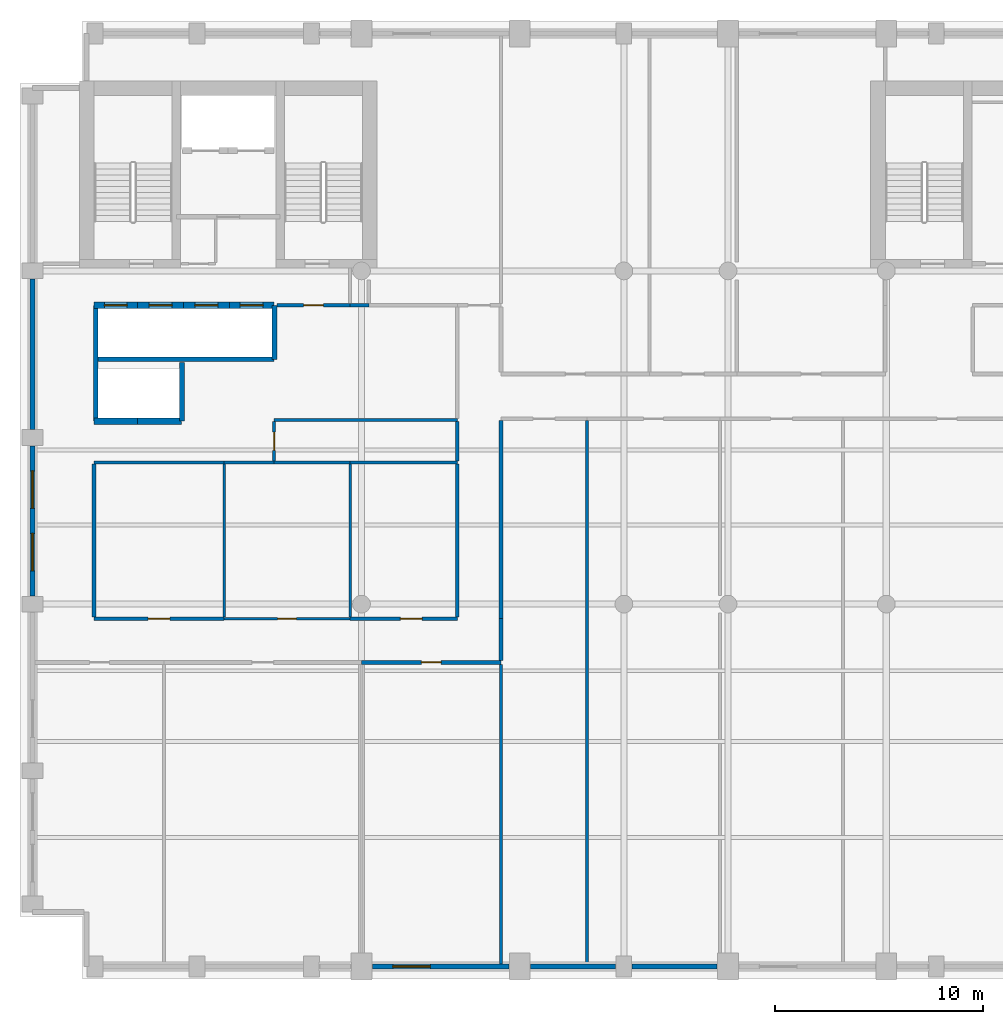
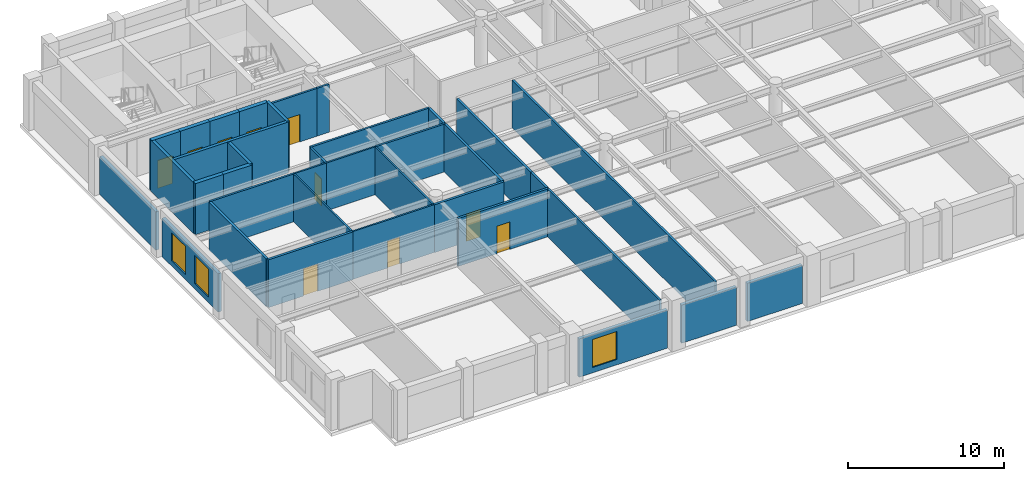
# One storey, part 3 of 8: 36 walls, 10 doors, 3 windows, 13 openings.
"""IFC4 building model written with IfcOpenShell, lengths in metres."""

from ifc_helpers import new_model, si_unit, direction, frame, frame_2d, origin, place, context, subcontext, project, spatial, rectangle, extrude, material, layer, layer_set, type_object, element, fill, save


model = new_model("IFC4")

# Units and contexts
model_context = context("Model", 3, precision=1e-05, world=origin(), true_north=direction((0.0, 1.0)))
body_context = subcontext(model_context, "Body", "Model", "MODEL_VIEW")
ifc_project = project(units=[si_unit("LENGTHUNIT", "METRE"), si_unit("AREAUNIT", "SQUARE_METRE"), si_unit("VOLUMEUNIT", "CUBIC_METRE"), si_unit("PLANEANGLEUNIT", "RADIAN"), si_unit("MASSUNIT", "GRAM", prefix="KILO")], contexts=[model_context])

# Site, building, storey
site_placement = place(None, origin())
site = spatial("IfcSite", under=ifc_project, at=site_placement, CompositionType="ELEMENT")
building_placement = place(site_placement, origin())
building = spatial("IfcBuilding", under=site, at=building_placement, Name="Sulina Concourse Tower", CompositionType="ELEMENT")
storey_placement = place(building_placement, frame((0.0, 0.0, 264.60009765625)))
storey = spatial("IfcBuildingStorey", under=building, at=storey_placement, Name="L64", CompositionType="ELEMENT", Elevation=264.60009765625)

# Walls
ifc_material_1 = material(Name="Concrete C50/60", Category="concrete")
ifc_layer_1 = layer(ifc_material_1, 0.219970703125)
ifc_layer_set_1 = layer_set([ifc_layer_1], Name="Concrete C50/60")
wall_type_1 = type_object("IfcWallType", Name="Core Lift Hoistway Divider Wall 220mm", PredefinedType="SOLIDWALL", material=ifc_layer_set_1)
wall_1_placement = place(storey_placement, frame((3.550048828125, 29.75, 0.0), z_axis=(0.0, 0.0, 1.0), x_axis=(1.0, 0.0, 0.0)))
element("IfcWall", 1, at=wall_1_placement, inside=storey, type_object=wall_type_1, Name="L64 shaft divider wall HW-LP3-S", PredefinedType="SOLIDWALL", context=body_context, shape_type="SweptSolid", body=[
    extrude(rectangle(XDim=8.64990234375, YDim=0.219970703125, at=frame_2d((4.324951171875, 0.0))), origin(), (0.0, 0.0, 1.0), 4.0),
])
wall_2_placement = place(storey_placement, frame((3.6298828125, 26.800048828125, 0.0), z_axis=(0.0, 0.0, 1.0), x_axis=(0.0, 1.0, 0.0)))
element("IfcWall", 2, at=wall_2_placement, inside=storey, type_object=wall_type_1, Name="L64 shaft divider wall HW-LP3-W", PredefinedType="SOLIDWALL", context=body_context, shape_type="SweptSolid", body=[
    extrude(rectangle(XDim=5.550048828125, YDim=0.219970703125, at=frame_2d((2.77490234375, 0.0))), origin(), (0.0, 0.0, 1.0), 4.0),
])
wall_3_placement = place(storey_placement, frame((7.780029296875, 26.800048828125, 0.0), z_axis=(0.0, 0.0, 1.0), x_axis=(0.0, 1.0, 0.0)))
element("IfcWall", 3, at=wall_3_placement, inside=storey, type_object=wall_type_1, Name="L64 shaft divider wall HW-EXP-E", PredefinedType="SOLIDWALL", context=body_context, shape_type="SweptSolid", body=[
    extrude(rectangle(XDim=2.800048828125, YDim=0.219970703125, at=frame_2d((1.39990234375, 0.0))), origin(), (0.0, 0.0, 1.0), 4.0),
])
wall_4_placement = place(storey_placement, frame((12.219970703125, 29.75, 0.0), z_axis=(0.0, 0.0, 1.0), x_axis=(0.0, 1.0, 0.0)))
element("IfcWall", 4, at=wall_4_placement, inside=storey, type_object=wall_type_1, Name="L64 shaft divider wall HW-LP3-E", PredefinedType="SOLIDWALL", context=body_context, shape_type="SweptSolid", body=[
    extrude(rectangle(XDim=2.60009765625, YDim=0.219970703125, at=frame_2d((1.300048828125, 0.0))), origin(), (0.0, 0.0, 1.0), 4.0),
])

# Wall, opening, door
ifc_material_2 = material(Name="Concrete C50/60", Category="concrete")
ifc_layer_2 = layer(ifc_material_2, 0.300048828125)
ifc_layer_set_2 = layer_set([ifc_layer_2], Name="Concrete C50/60")
wall_type_2 = type_object("IfcWallType", Name="Core Lift Hoistway Wall 300mm", PredefinedType="SOLIDWALL", material=ifc_layer_set_2)
wall_5_placement = place(storey_placement, frame((3.550048828125, 32.35009765625, 0.0), z_axis=(0.0, 0.0, 1.0), x_axis=(1.0, 0.0, 0.0)))
wall_5 = element("IfcWall", 5, at=wall_5_placement, inside=storey, type_object=wall_type_2, Name="L64 hoistway enclosure wall LP-09", PredefinedType="SOLIDWALL", context=body_context, shape_type="SweptSolid", body=[
    extrude(rectangle(XDim=2.099853515625, YDim=0.300048828125, at=frame_2d((1.0498046875, 0.0))), origin(), (0.0, 0.0, 1.0), 4.0),
])
opening_1_placement = place(wall_5_placement, frame((0.5, 0.0, 0.0)))
opening_1 = element("IfcOpeningElement", 6, at=opening_1_placement, cuts=wall_5, Name="Opening LD-01", PredefinedType="OPENING", context=body_context, shape_type="SweptSolid", body=[
    extrude(rectangle(XDim=1.10009765625, YDim=2.199951171875, at=frame_2d((0.550048828125, 1.10009765625))), frame((0.0, 0.159912109375, 0.0), z_axis=(0.0, -1.0, 0.0), x_axis=(1.0, 0.0, 0.0)), (0.0, 0.0, 1.0), 0.320068359375),
])
ifc_material_3 = material(Name="Stainless steel lift landing door", Category="steel")
ifc_layer_3 = layer(ifc_material_3, 0.050048828125)
ifc_layer_set_3 = layer_set([ifc_layer_3], Name="Stainless steel lift landing door")
door_type_1 = type_object("IfcDoorType", Name="Passenger Lift Sliding Landing Door 1100x2200", OperationType="SLIDING_TO_LEFT", PredefinedType="DOOR", material=ifc_layer_set_3)
door_1_placement = place(opening_1_placement, origin())
door_1 = element("IfcDoor", 7, at=door_1_placement, inside=storey, type_object=door_type_1, Name="L64 lift landing sliding door LP-09", OperationType="SLIDING_TO_LEFT", OverallHeight=2.199951171875, OverallWidth=1.10009765625, PredefinedType="DOOR", context=body_context, shape_type="SweptSolid", body=[
    extrude(rectangle(XDim=1.10009765625, YDim=2.199951171875, at=frame_2d((0.550048828125, 1.10009765625))), frame((0.0, 0.02490234375, 0.0), z_axis=(0.0, -1.0, 0.0), x_axis=(1.0, 0.0, 0.0)), (0.0, 0.0, 1.0), 0.050048828125),
])
fill(opening_1, door_1)

wall_6_placement = place(storey_placement, frame((5.64990234375, 32.35009765625, 0.0), z_axis=(0.0, 0.0, 1.0), x_axis=(1.0, 0.0, 0.0)))
wall_6 = element("IfcWall", 8, at=wall_6_placement, inside=storey, type_object=wall_type_2, Name="L64 hoistway enclosure wall LP-10", PredefinedType="SOLIDWALL", context=body_context, shape_type="SweptSolid", body=[
    extrude(rectangle(XDim=2.2001953125, YDim=0.300048828125, at=frame_2d((1.10009765625, 0.0))), origin(), (0.0, 0.0, 1.0), 4.0),
])
opening_2_placement = place(wall_6_placement, frame((0.550048828125, 0.0, 0.0)))
opening_2 = element("IfcOpeningElement", 9, at=opening_2_placement, cuts=wall_6, Name="Opening LD-01", PredefinedType="OPENING", context=body_context, shape_type="SweptSolid", body=[
    extrude(rectangle(XDim=1.10009765625, YDim=2.199951171875, at=frame_2d((0.550048828125, 1.10009765625))), frame((0.0, 0.159912109375, 0.0), z_axis=(0.0, -1.0, 0.0), x_axis=(1.0, 0.0, 0.0)), (0.0, 0.0, 1.0), 0.320068359375),
])
door_2_placement = place(opening_2_placement, origin())
door_2 = element("IfcDoor", 10, at=door_2_placement, inside=storey, type_object=door_type_1, Name="L64 lift landing sliding door LP-10", OperationType="SLIDING_TO_RIGHT", OverallHeight=2.199951171875, OverallWidth=1.10009765625, PredefinedType="DOOR", context=body_context, shape_type="SweptSolid", body=[
    extrude(rectangle(XDim=1.10009765625, YDim=2.199951171875, at=frame_2d((0.550048828125, 1.10009765625))), frame((0.0, 0.02490234375, 0.0), z_axis=(0.0, -1.0, 0.0), x_axis=(1.0, 0.0, 0.0)), (0.0, 0.0, 1.0), 0.050048828125),
])
fill(opening_2, door_2)

wall_7_placement = place(storey_placement, frame((7.85009765625, 32.35009765625, 0.0), z_axis=(0.0, 0.0, 1.0), x_axis=(1.0, 0.0, 0.0)))
wall_7 = element("IfcWall", 11, at=wall_7_placement, inside=storey, type_object=wall_type_2, Name="L64 hoistway enclosure wall LP-11", PredefinedType="SOLIDWALL", context=body_context, shape_type="SweptSolid", body=[
    extrude(rectangle(XDim=2.199951171875, YDim=0.300048828125, at=frame_2d((1.10009765625, 0.0))), origin(), (0.0, 0.0, 1.0), 4.0),
])
opening_3_placement = place(wall_7_placement, frame((0.550048828125, 0.0, 0.0)))
opening_3 = element("IfcOpeningElement", 12, at=opening_3_placement, cuts=wall_7, Name="Opening LD-01", PredefinedType="OPENING", context=body_context, shape_type="SweptSolid", body=[
    extrude(rectangle(XDim=1.10009765625, YDim=2.199951171875, at=frame_2d((0.550048828125, 1.10009765625))), frame((0.0, 0.159912109375, 0.0), z_axis=(0.0, -1.0, 0.0), x_axis=(1.0, 0.0, 0.0)), (0.0, 0.0, 1.0), 0.320068359375),
])
door_3_placement = place(opening_3_placement, origin())
door_3 = element("IfcDoor", 13, at=door_3_placement, inside=storey, type_object=door_type_1, Name="L64 lift landing sliding door LP-11", OperationType="SLIDING_TO_LEFT", OverallHeight=2.199951171875, OverallWidth=1.10009765625, PredefinedType="DOOR", context=body_context, shape_type="SweptSolid", body=[
    extrude(rectangle(XDim=1.10009765625, YDim=2.199951171875, at=frame_2d((0.550048828125, 1.10009765625))), frame((0.0, 0.02490234375, 0.0), z_axis=(0.0, -1.0, 0.0), x_axis=(1.0, 0.0, 0.0)), (0.0, 0.0, 1.0), 0.050048828125),
])
fill(opening_3, door_3)

wall_8_placement = place(storey_placement, frame((10.050048828125, 32.35009765625, 0.0), z_axis=(0.0, 0.0, 1.0), x_axis=(1.0, 0.0, 0.0)))
wall_8 = element("IfcWall", 14, at=wall_8_placement, inside=storey, type_object=wall_type_2, Name="L64 hoistway enclosure wall LP-12", PredefinedType="SOLIDWALL", context=body_context, shape_type="SweptSolid", body=[
    extrude(rectangle(XDim=2.14990234375, YDim=0.300048828125, at=frame_2d((1.074951171875, 0.0))), origin(), (0.0, 0.0, 1.0), 4.0),
])
opening_4_placement = place(wall_8_placement, frame((0.52490234375, 0.0, 0.0)))
opening_4 = element("IfcOpeningElement", 15, at=opening_4_placement, cuts=wall_8, Name="Opening LD-01", PredefinedType="OPENING", context=body_context, shape_type="SweptSolid", body=[
    extrude(rectangle(XDim=1.10009765625, YDim=2.199951171875, at=frame_2d((0.550048828125, 1.10009765625))), frame((0.0, 0.159912109375, 0.0), z_axis=(0.0, -1.0, 0.0), x_axis=(1.0, 0.0, 0.0)), (0.0, 0.0, 1.0), 0.320068359375),
])
door_4_placement = place(opening_4_placement, origin())
door_4 = element("IfcDoor", 16, at=door_4_placement, inside=storey, type_object=door_type_1, Name="L64 lift landing sliding door LP-12", OperationType="SLIDING_TO_RIGHT", OverallHeight=2.199951171875, OverallWidth=1.10009765625, PredefinedType="DOOR", context=body_context, shape_type="SweptSolid", body=[
    extrude(rectangle(XDim=1.10009765625, YDim=2.199951171875, at=frame_2d((0.550048828125, 1.10009765625))), frame((0.0, 0.02490234375, 0.0), z_axis=(0.0, -1.0, 0.0), x_axis=(1.0, 0.0, 0.0)), (0.0, 0.0, 1.0), 0.050048828125),
])
fill(opening_4, door_4)

# Walls
wall_9_placement = place(storey_placement, frame((5.64990234375, 26.780029296875, 0.0), z_axis=(0.0, 0.0, 1.0), x_axis=(-1.0, 0.0, 0.0)))
element("IfcWall", 17, at=wall_9_placement, inside=storey, type_object=wall_type_2, Name="L64 hoistway enclosure wall EXP-1", PredefinedType="SOLIDWALL", context=body_context, shape_type="SweptSolid", body=[
    extrude(rectangle(XDim=2.099853515625, YDim=0.300048828125, at=frame_2d((1.0498046875, 0.0))), origin(), (0.0, 0.0, 1.0), 4.0),
])
wall_10_placement = place(storey_placement, frame((7.75, 26.780029296875, 0.0), z_axis=(0.0, 0.0, 1.0), x_axis=(-1.0, 0.0, 0.0)))
element("IfcWall", 18, at=wall_10_placement, inside=storey, type_object=wall_type_2, Name="L64 hoistway enclosure wall EXP-2", PredefinedType="SOLIDWALL", context=body_context, shape_type="SweptSolid", body=[
    extrude(rectangle(XDim=2.10009765625, YDim=0.300048828125, at=frame_2d((1.050048828125, 0.0))), origin(), (0.0, 0.0, 1.0), 4.0),
])

# Wall, opening, window
ifc_material_4 = material(Name="Precast concrete C50/60", Category="concrete")
ifc_layer_4 = layer(ifc_material_4, 0.239990234375)
ifc_layer_set_4 = layer_set([ifc_layer_4], Name="Precast concrete C50/60")
wall_type_3 = type_object("IfcWallType", Name="Crown Precast Masonry-Frame Facade Wall 240mm", PredefinedType="SOLIDWALL", material=ifc_layer_set_4)
wall_11_placement = place(storey_placement, frame((23.47998046875, 0.60009765625, 0.0), z_axis=(0.0, 0.0, 1.0), x_axis=(-1.0, 0.0, 0.0)))
wall_11 = element("IfcWall", 19, at=wall_11_placement, inside=storey, type_object=wall_type_3, Name="L64 exterior precast wall S4", PredefinedType="SOLIDWALL", context=body_context, shape_type="SweptSolid", body=[
    extrude(rectangle(XDim=6.56005859375, YDim=0.239990234375, at=frame_2d((3.280029296875, 0.0))), origin(), (0.0, 0.0, 1.0), 3.0),
])
opening_5_placement = place(wall_11_placement, frame((3.773193359375, 0.0, 0.419921875)))
opening_5 = element("IfcOpeningElement", 20, at=opening_5_placement, cuts=wall_11, Name="Opening WN-25", PredefinedType="OPENING", context=body_context, shape_type="SweptSolid", body=[
    extrude(rectangle(XDim=1.800048828125, YDim=2.199951171875, at=frame_2d((0.89990234375, 1.10009765625))), frame((0.0, 0.1298828125, 0.0), z_axis=(0.0, -1.0, 0.0), x_axis=(1.0, 0.0, 0.0)), (0.0, 0.0, 1.0), 0.260009765625),
])
ifc_material_5 = material(Name="Low-E solar double glazing in bronze aluminium", Category="aluminium")
window_type = type_object("IfcWindowType", Name="Punched Masonry-Frame Window 1800x2200", PartitioningType="SINGLE_PANEL", PredefinedType="WINDOW", material=ifc_material_5)
window_1_placement = place(opening_5_placement, origin())
window_1 = element("IfcWindow", 21, at=window_1_placement, inside=storey, type_object=window_type, Name="L64 punched window S4-1", OverallHeight=2.199951171875, OverallWidth=1.800048828125, PartitioningType="SINGLE_PANEL", PredefinedType="WINDOW", context=body_context, shape_type="SweptSolid", body=[
    extrude(rectangle(XDim=1.800048828125, YDim=2.199951171875, at=frame_2d((0.89990234375, 1.10009765625))), frame((0.0, 0.030029296875, 0.0), z_axis=(0.0, -1.0, 0.0), x_axis=(1.0, 0.0, 0.0)), (0.0, 0.0, 1.0), 0.06005859375),
])
fill(opening_5, window_1)

# Walls
for number, where, z_axis, x_axis, name in (
    (22, (28.60498046875, 0.60009765625, 0.0), (0.0, 0.0, 1.0), (-1.0, 0.0, 0.0), "L64 exterior precast wall S5"),
    (23, (33.47998046875, 0.60009765625, 0.0), (0.0, 0.0, 1.0), (-1.0, 0.0, 0.0), "L64 exterior precast wall S6"),
):
    element("IfcWall", number, at=place(storey_placement, frame(where, z_axis=z_axis, x_axis=x_axis)), inside=storey, type_object=wall_type_3, Name=name, PredefinedType="SOLIDWALL", context=body_context, shape_type="SweptSolid", body=[
        extrude(rectangle(XDim=4.0849609375, YDim=0.239990234375, at=frame_2d((2.04248046875, 0.0))), origin(), (0.0, 0.0, 1.0), 3.0),
    ])

# Wall, openings, windows
wall_12_placement = place(storey_placement, frame((0.60009765625, 18.39501953125, 0.0), z_axis=(0.0, 0.0, 1.0), x_axis=(0.0, 1.0, 0.0)))
wall_12 = element("IfcWall", 24, at=wall_12_placement, inside=storey, type_object=wall_type_3, Name="L64 exterior precast wall W3", PredefinedType="SOLIDWALL", context=body_context, shape_type="SweptSolid", body=[
    extrude(rectangle(XDim=7.2099609375, YDim=0.239990234375, at=frame_2d((3.60498046875, 0.0))), origin(), (0.0, 0.0, 1.0), 3.0),
])
opening_6_placement = place(wall_12_placement, frame((1.203369140625, 0.0, 0.419921875)))
opening_6 = element("IfcOpeningElement", 25, at=opening_6_placement, cuts=wall_12, Name="Opening WN-25", PredefinedType="OPENING", context=body_context, shape_type="SweptSolid", body=[
    extrude(rectangle(XDim=1.800048828125, YDim=2.199951171875, at=frame_2d((0.89990234375, 1.10009765625))), frame((0.0, 0.1298828125, 0.0), z_axis=(0.0, -1.0, 0.0), x_axis=(1.0, 0.0, 0.0)), (0.0, 0.0, 1.0), 0.260009765625),
])
opening_7_placement = place(wall_12_placement, frame((4.206787109375, 0.0, 0.419921875)))
opening_7 = element("IfcOpeningElement", 26, at=opening_7_placement, cuts=wall_12, Name="Opening WN-25", PredefinedType="OPENING", context=body_context, shape_type="SweptSolid", body=[
    extrude(rectangle(XDim=1.800048828125, YDim=2.199951171875, at=frame_2d((0.89990234375, 1.10009765625))), frame((0.0, 0.1298828125, 0.0), z_axis=(0.0, -1.0, 0.0), x_axis=(1.0, 0.0, 0.0)), (0.0, 0.0, 1.0), 0.260009765625),
])
window_2_placement = place(opening_6_placement, origin())
window_2 = element("IfcWindow", 27, at=window_2_placement, inside=storey, type_object=window_type, Name="L64 punched window W3-1", OverallHeight=2.199951171875, OverallWidth=1.800048828125, PartitioningType="SINGLE_PANEL", PredefinedType="WINDOW", context=body_context, shape_type="SweptSolid", body=[
    extrude(rectangle(XDim=1.800048828125, YDim=2.199951171875, at=frame_2d((0.89990234375, 1.10009765625))), frame((0.0, 0.030029296875, 0.0), z_axis=(0.0, -1.0, 0.0), x_axis=(1.0, 0.0, 0.0)), (0.0, 0.0, 1.0), 0.06005859375),
])
fill(opening_6, window_2)
window_3_placement = place(opening_7_placement, origin())
window_3 = element("IfcWindow", 28, at=window_3_placement, inside=storey, type_object=window_type, Name="L64 punched window W3-2", OverallHeight=2.199951171875, OverallWidth=1.800048828125, PartitioningType="SINGLE_PANEL", PredefinedType="WINDOW", context=body_context, shape_type="SweptSolid", body=[
    extrude(rectangle(XDim=1.800048828125, YDim=2.199951171875, at=frame_2d((0.89990234375, 1.10009765625))), frame((0.0, 0.030029296875, 0.0), z_axis=(0.0, -1.0, 0.0), x_axis=(1.0, 0.0, 0.0)), (0.0, 0.0, 1.0), 0.06005859375),
])
fill(opening_7, window_3)

# Walls
wall_13_placement = place(storey_placement, frame((0.60009765625, 26.39501953125, 0.0), z_axis=(0.0, 0.0, 1.0), x_axis=(0.0, 1.0, 0.0)))
element("IfcWall", 29, at=wall_13_placement, inside=storey, type_object=wall_type_3, Name="L64 exterior precast wall W4", PredefinedType="SOLIDWALL", context=body_context, shape_type="SweptSolid", body=[
    extrude(rectangle(XDim=7.2099609375, YDim=0.239990234375, at=frame_2d((3.60498046875, 0.0))), origin(), (0.0, 0.0, 1.0), 3.0),
])
ifc_material_6 = material(Name="Gypsum board on steel stud", Category="steel")
ifc_layer_5 = layer(ifc_material_6, 0.14990234375)
ifc_layer_set_5 = layer_set([ifc_layer_5], Name="Gypsum board on steel stud")
wall_type_4 = type_object("IfcWallType", Name="Inter-Tenancy Acoustic Partition 150mm", PredefinedType="PARTITIONING", material=ifc_layer_set_5)
wall_14_placement = place(storey_placement, frame((3.550048828125, 24.800048828125, 0.0), z_axis=(0.0, 0.0, 1.0), x_axis=(1.0, 0.0, 0.0)))
element("IfcWall", 30, at=wall_14_placement, inside=storey, type_object=wall_type_4, Name="L64 interior partition 007", PredefinedType="PARTITIONING", context=body_context, shape_type="SweptSolid", body=[
    extrude(rectangle(XDim=6.25, YDim=0.14990234375, at=frame_2d((3.125, 0.0))), origin(), (0.0, 0.0, 1.0), 3.75),
])
wall_15_placement = place(storey_placement, frame((15.85009765625, 24.800048828125, 0.0), z_axis=(0.0, 0.0, 1.0), x_axis=(1.0, 0.0, 0.0)))
element("IfcWall", 31, at=wall_15_placement, inside=storey, type_object=wall_type_4, Name="L64 interior partition 010", PredefinedType="PARTITIONING", context=body_context, shape_type="SweptSolid", body=[
    extrude(rectangle(XDim=5.14990234375, YDim=0.14990234375, at=frame_2d((2.574951171875, 0.0))), origin(), (0.0, 0.0, 1.0), 3.75),
])
wall_16_placement = place(storey_placement, frame((12.199951171875, 26.85009765625, 0.0), z_axis=(0.0, 0.0, 1.0), x_axis=(1.0, 0.0, 0.0)))
element("IfcWall", 32, at=wall_16_placement, inside=storey, type_object=wall_type_4, Name="L64 interior partition 011", PredefinedType="PARTITIONING", context=body_context, shape_type="SweptSolid", body=[
    extrude(rectangle(XDim=8.800048828125, YDim=0.14990234375, at=frame_2d((4.39990234375, 0.0))), origin(), (0.0, 0.0, 1.0), 3.75),
])

# Wall, opening, door
wall_17_placement = place(storey_placement, frame((12.330078125, 32.35009765625, 0.0), z_axis=(0.0, 0.0, 1.0), x_axis=(1.0, 0.0, 0.0)))
wall_17 = element("IfcWall", 33, at=wall_17_placement, inside=storey, type_object=wall_type_4, Name="L64 interior partition 021", PredefinedType="PARTITIONING", context=body_context, shape_type="SweptSolid", body=[
    extrude(rectangle(XDim=3.52001953125, YDim=0.14990234375, at=frame_2d((1.760009765625, 0.0))), origin(), (0.0, 0.0, 1.0), 3.75),
])
opening_8_placement = place(wall_17_placement, frame((1.284912109375, 0.0, 0.0)))
opening_8 = element("IfcOpeningElement", 34, at=opening_8_placement, cuts=wall_17, Name="Opening DR-19", PredefinedType="OPENING", context=body_context, shape_type="SweptSolid", body=[
    extrude(rectangle(XDim=0.949951171875, YDim=2.14990234375, at=frame_2d((0.47509765625, 1.074951171875))), frame((0.0, 0.0849609375, 0.0), z_axis=(0.0, -1.0, 0.0), x_axis=(1.0, 0.0, 0.0)), (0.0, 0.0, 1.0), 0.169921875),
])
ifc_material_7 = material(Name="Oak-veneered acoustic timber leaf", Category="wood")
ifc_layer_6 = layer(ifc_material_7, 0.050048828125)
ifc_layer_set_6 = layer_set([ifc_layer_6], Name="Oak-veneered acoustic timber leaf")
door_type_2 = type_object("IfcDoorType", Name="Cellular Office & Meeting Door 950x2150", OperationType="NOTDEFINED", PredefinedType="DOOR", material=ifc_layer_set_6)
door_5_placement = place(opening_8_placement, origin())
door_5 = element("IfcDoor", 35, at=door_5_placement, inside=storey, type_object=door_type_2, Name="L64 interior door L64-MR-MRG2", OperationType="SINGLE_SWING_LEFT", OverallHeight=2.14990234375, OverallWidth=0.949951171875, PredefinedType="DOOR", context=body_context, shape_type="SweptSolid", body=[
    extrude(rectangle(XDim=0.949951171875, YDim=2.14990234375, at=frame_2d((0.47509765625, 1.074951171875))), frame((0.0, 0.02490234375, 0.0), z_axis=(0.0, -1.0, 0.0), x_axis=(1.0, 0.0, 0.0)), (0.0, 0.0, 1.0), 0.050048828125),
])
fill(opening_8, door_5)

# Wall
wall_18_placement = place(storey_placement, frame((15.85009765625, 32.35009765625, 0.0), z_axis=(0.0, 0.0, 1.0), x_axis=(1.0, 0.0, 0.0)))
element("IfcWall", 36, at=wall_18_placement, inside=storey, type_object=wall_type_4, Name="L64 interior partition 022", PredefinedType="PARTITIONING", context=body_context, shape_type="SweptSolid", body=[
    extrude(rectangle(XDim=0.89990234375, YDim=0.14990234375, at=frame_2d((0.449951171875, 0.0))), origin(), (0.0, 0.0, 1.0), 3.75),
])

# Wall, opening, door
wall_19_placement = place(storey_placement, frame((12.199951171875, 24.862548828125, 0.0), z_axis=(0.0, 0.0, 1.0), x_axis=(0.0, 1.0, 0.0)))
wall_19 = element("IfcWall", 37, at=wall_19_placement, inside=storey, type_object=wall_type_4, Name="L64 interior partition 035", PredefinedType="PARTITIONING", context=body_context, shape_type="SweptSolid", body=[
    extrude(rectangle(XDim=1.912353515625, YDim=0.14990234375, at=frame_2d((0.9560546875, 0.0))), origin(), (0.0, 0.0, 1.0), 3.75),
])
opening_9_placement = place(wall_19_placement, frame((0.51611328125, 0.0, 0.0)))
opening_9 = element("IfcOpeningElement", 38, at=opening_9_placement, cuts=wall_19, Name="Opening DR-38", PredefinedType="OPENING", context=body_context, shape_type="SweptSolid", body=[
    extrude(rectangle(XDim=0.8798828125, YDim=2.10009765625, at=frame_2d((0.43994140625, 1.050048828125))), frame((0.0, 0.0849609375, 0.0), z_axis=(0.0, -1.0, 0.0), x_axis=(1.0, 0.0, 0.0)), (0.0, 0.0, 1.0), 0.169921875),
])
ifc_material_8 = material(Name="Galvanised steel acoustic fire leaf", Category="steel")
ifc_layer_7 = layer(ifc_material_8, 0.050048828125)
ifc_layer_set_7 = layer_set([ifc_layer_7], Name="Galvanised steel acoustic fire leaf")
door_type_3 = type_object("IfcDoorType", Name="Service Riser Fire Door 880x2100", OperationType="NOTDEFINED", PredefinedType="DOOR", material=ifc_layer_set_7)
door_6_placement = place(opening_9_placement, origin())
door_6 = element("IfcDoor", 39, at=door_6_placement, inside=storey, type_object=door_type_3, Name="L64 interior door L64-MR-MRG1", OperationType="SINGLE_SWING_RIGHT", OverallHeight=2.10009765625, OverallWidth=0.8798828125, PredefinedType="DOOR", context=body_context, shape_type="SweptSolid", body=[
    extrude(rectangle(XDim=0.8798828125, YDim=2.10009765625, at=frame_2d((0.43994140625, 1.050048828125))), frame((0.0, 0.02490234375, 0.0), z_axis=(0.0, -1.0, 0.0), x_axis=(1.0, 0.0, 0.0)), (0.0, 0.0, 1.0), 0.050048828125),
])
fill(opening_9, door_6)

# Walls
wall_20_placement = place(storey_placement, frame((23.10009765625, 0.719970703125, 0.0), z_axis=(0.0, 0.0, 1.0), x_axis=(0.0, 1.0, 0.0)))
element("IfcWall", 40, at=wall_20_placement, inside=storey, type_object=wall_type_4, Name="L64 interior partition 043", PredefinedType="PARTITIONING", context=body_context, shape_type="SweptSolid", body=[
    extrude(rectangle(XDim=14.39013671875, YDim=0.14990234375, at=frame_2d((7.195068359375, 0.0))), origin(), (0.0, 0.0, 1.0), 3.75),
])
wall_21_placement = place(storey_placement, frame((27.219970703125, 0.719970703125, 0.0), z_axis=(0.0, 0.0, 1.0), x_axis=(0.0, 1.0, 0.0)))
element("IfcWall", 41, at=wall_21_placement, inside=storey, type_object=wall_type_4, Name="L64 interior partition 048", PredefinedType="PARTITIONING", context=body_context, shape_type="SweptSolid", body=[
    extrude(rectangle(XDim=26.090087890625, YDim=0.14990234375, at=frame_2d((13.044921875, 0.0))), origin(), (0.0, 0.0, 1.0), 3.75),
])

# Wall, opening, door
ifc_material_9 = material(Name="Gypsum board on steel stud", Category="steel")
ifc_layer_8 = layer(ifc_material_9, 0.179931640625)
ifc_layer_set_8 = layer_set([ifc_layer_8], Name="Gypsum board on steel stud")
wall_type_5 = type_object("IfcWallType", Name="Protected Corridor & Riser Partition 180mm", PredefinedType="PARTITIONING", material=ifc_layer_set_8)
wall_22_placement = place(storey_placement, frame((16.39990234375, 15.199951171875, 0.0), z_axis=(0.0, 0.0, 1.0), x_axis=(1.0, 0.0, 0.0)))
wall_22 = element("IfcWall", 42, at=wall_22_placement, inside=storey, type_object=wall_type_5, Name="L64 interior partition 003", PredefinedType="PARTITIONING", context=body_context, shape_type="SweptSolid", body=[
    extrude(rectangle(XDim=6.7001953125, YDim=0.179931640625, at=frame_2d((3.35009765625, 0.0))), origin(), (0.0, 0.0, 1.0), 3.75),
])
opening_10_placement = place(wall_22_placement, frame((2.875, 0.0, 0.0)))
opening_10 = element("IfcOpeningElement", 43, at=opening_10_placement, cuts=wall_22, Name="Opening DR-19", PredefinedType="OPENING", context=body_context, shape_type="SweptSolid", body=[
    extrude(rectangle(XDim=0.949951171875, YDim=2.14990234375, at=frame_2d((0.47509765625, 1.074951171875))), frame((0.0, 0.099853515625, 0.0), z_axis=(0.0, -1.0, 0.0), x_axis=(1.0, 0.0, 0.0)), (0.0, 0.0, 1.0), 0.199951171875),
])
door_7_placement = place(opening_10_placement, origin())
door_7 = element("IfcDoor", 44, at=door_7_placement, inside=storey, type_object=door_type_2, Name="L64 interior door L64-S03", OperationType="SINGLE_SWING_RIGHT", OverallHeight=2.14990234375, OverallWidth=0.949951171875, PredefinedType="DOOR", context=body_context, shape_type="SweptSolid", body=[
    extrude(rectangle(XDim=0.949951171875, YDim=2.14990234375, at=frame_2d((0.47509765625, 1.074951171875))), frame((0.0, 0.02490234375, 0.0), z_axis=(0.0, -1.0, 0.0), x_axis=(1.0, 0.0, 0.0)), (0.0, 0.0, 1.0), 0.050048828125),
])
fill(opening_10, door_7)

wall_23_placement = place(storey_placement, frame((3.550048828125, 17.300048828125, 0.0), z_axis=(0.0, 0.0, 1.0), x_axis=(1.0, 0.0, 0.0)))
wall_23 = element("IfcWall", 45, at=wall_23_placement, inside=storey, type_object=wall_type_5, Name="L64 interior partition 004", PredefinedType="PARTITIONING", context=body_context, shape_type="SweptSolid", body=[
    extrude(rectangle(XDim=6.25, YDim=0.179931640625, at=frame_2d((3.125, 0.0))), origin(), (0.0, 0.0, 1.0), 3.75),
])
opening_11_placement = place(wall_23_placement, frame((2.60009765625, 0.0, 0.0)))
opening_11 = element("IfcOpeningElement", 46, at=opening_11_placement, cuts=wall_23, Name="Opening DR-37", PredefinedType="OPENING", context=body_context, shape_type="SweptSolid", body=[
    extrude(rectangle(XDim=1.050048828125, YDim=2.14990234375, at=frame_2d((0.52490234375, 1.074951171875))), frame((0.0, 0.099853515625, 0.0), z_axis=(0.0, -1.0, 0.0), x_axis=(1.0, 0.0, 0.0)), (0.0, 0.0, 1.0), 0.199951171875),
])
ifc_material_10 = material(Name="Oak-veneered fire door leaf")
ifc_layer_9 = layer(ifc_material_10, 0.050048828125)
ifc_layer_set_9 = layer_set([ifc_layer_9], Name="Oak-veneered fire door leaf")
door_type_4 = type_object("IfcDoorType", Name="Tenant Suite Entrance Fire Door 1050x2150", OperationType="NOTDEFINED", PredefinedType="DOOR", material=ifc_layer_set_9)
door_8_placement = place(opening_11_placement, origin())
door_8 = element("IfcDoor", 47, at=door_8_placement, inside=storey, type_object=door_type_4, Name="L64 interior door L64-LR-MRG1", OperationType="SINGLE_SWING_LEFT", OverallHeight=2.14990234375, OverallWidth=1.050048828125, PredefinedType="DOOR", context=body_context, shape_type="SweptSolid", body=[
    extrude(rectangle(XDim=1.050048828125, YDim=2.14990234375, at=frame_2d((0.52490234375, 1.074951171875))), frame((0.0, 0.02490234375, 0.0), z_axis=(0.0, -1.0, 0.0), x_axis=(1.0, 0.0, 0.0)), (0.0, 0.0, 1.0), 0.050048828125),
])
fill(opening_11, door_8)

wall_24_placement = place(storey_placement, frame((15.85009765625, 17.300048828125, 0.0), z_axis=(0.0, 0.0, 1.0), x_axis=(1.0, 0.0, 0.0)))
wall_24 = element("IfcWall", 48, at=wall_24_placement, inside=storey, type_object=wall_type_5, Name="L64 interior partition 006", PredefinedType="PARTITIONING", context=body_context, shape_type="SweptSolid", body=[
    extrude(rectangle(XDim=5.14990234375, YDim=0.179931640625, at=frame_2d((2.574951171875, 0.0))), origin(), (0.0, 0.0, 1.0), 3.75),
])
opening_12_placement = place(wall_24_placement, frame((2.409912109375, 0.0, 0.0)))
opening_12 = element("IfcOpeningElement", 49, at=opening_12_placement, cuts=wall_24, Name="Opening DR-37", PredefinedType="OPENING", context=body_context, shape_type="SweptSolid", body=[
    extrude(rectangle(XDim=1.050048828125, YDim=2.14990234375, at=frame_2d((0.52490234375, 1.074951171875))), frame((0.0, 0.099853515625, 0.0), z_axis=(0.0, -1.0, 0.0), x_axis=(1.0, 0.0, 0.0)), (0.0, 0.0, 1.0), 0.199951171875),
])
door_9_placement = place(opening_12_placement, origin())
door_9 = element("IfcDoor", 50, at=door_9_placement, inside=storey, type_object=door_type_4, Name="L64 interior door L64-NZ-PKW", OperationType="SINGLE_SWING_LEFT", OverallHeight=2.14990234375, OverallWidth=1.050048828125, PredefinedType="DOOR", context=body_context, shape_type="SweptSolid", body=[
    extrude(rectangle(XDim=1.050048828125, YDim=2.14990234375, at=frame_2d((0.52490234375, 1.074951171875))), frame((0.0, 0.02490234375, 0.0), z_axis=(0.0, -1.0, 0.0), x_axis=(1.0, 0.0, 0.0)), (0.0, 0.0, 1.0), 0.050048828125),
])
fill(opening_12, door_9)

# Walls
for number, where, z_axis, x_axis, name in (
    (51, (3.550048828125, 17.389892578125, 0.0), (0.0, 0.0, 1.0), (0.0, 1.0, 0.0), "L64 interior partition 031"),
    (52, (21.0, 17.389892578125, 0.0), (0.0, 0.0, 1.0), (0.0, 1.0, 0.0), "L64 interior partition 040"),
):
    element("IfcWall", number, at=place(storey_placement, frame(where, z_axis=z_axis, x_axis=x_axis)), inside=storey, type_object=wall_type_5, Name=name, PredefinedType="PARTITIONING", context=body_context, shape_type="SweptSolid", body=[
        extrude(rectangle(XDim=7.335205078125, YDim=0.179931640625, at=frame_2d((3.66748046875, 0.0))), origin(), (0.0, 0.0, 1.0), 3.75),
    ])
wall_25_placement = place(storey_placement, frame((21.0, 24.875, 0.0), z_axis=(0.0, 0.0, 1.0), x_axis=(0.0, 1.0, 0.0)))
element("IfcWall", 53, at=wall_25_placement, inside=storey, type_object=wall_type_5, Name="L64 interior partition 041", PredefinedType="PARTITIONING", context=body_context, shape_type="SweptSolid", body=[
    extrude(rectangle(XDim=1.89990234375, YDim=0.179931640625, at=frame_2d((0.949951171875, 0.0))), origin(), (0.0, 0.0, 1.0), 3.75),
])
wall_26_placement = place(storey_placement, frame((23.10009765625, 15.2900390625, 0.0), z_axis=(0.0, 0.0, 1.0), x_axis=(0.0, 1.0, 0.0)))
element("IfcWall", 54, at=wall_26_placement, inside=storey, type_object=wall_type_5, Name="L64 interior partition 044", PredefinedType="PARTITIONING", context=body_context, shape_type="SweptSolid", body=[
    extrude(rectangle(XDim=2.010009765625, YDim=0.179931640625, at=frame_2d((1.0048828125, 0.0))), origin(), (0.0, 0.0, 1.0), 3.75),
])
wall_27_placement = place(storey_placement, frame((23.10009765625, 17.300048828125, 0.0), z_axis=(0.0, 0.0, 1.0), x_axis=(0.0, 1.0, 0.0)))
element("IfcWall", 55, at=wall_27_placement, inside=storey, type_object=wall_type_5, Name="L64 interior partition 045", PredefinedType="PARTITIONING", context=body_context, shape_type="SweptSolid", body=[
    extrude(rectangle(XDim=9.510009765625, YDim=0.179931640625, at=frame_2d((4.7548828125, 0.0))), origin(), (0.0, 0.0, 1.0), 3.75),
])

# Wall, opening, door
ifc_material_11 = material(Name="Gypsum board on steel stud", Category="steel")
ifc_layer_10 = layer(ifc_material_11, 0.125)
ifc_layer_set_10 = layer_set([ifc_layer_10], Name="Gypsum board on steel stud")
wall_type_6 = type_object("IfcWallType", Name="Wet-Area Moisture-Resistant Partition 125mm", PredefinedType="PARTITIONING", material=ifc_layer_set_10)
wall_28_placement = place(storey_placement, frame((9.800048828125, 17.300048828125, 0.0), z_axis=(0.0, 0.0, 1.0), x_axis=(1.0, 0.0, 0.0)))
wall_28 = element("IfcWall", 56, at=wall_28_placement, inside=storey, type_object=wall_type_6, Name="L64 interior partition 005", PredefinedType="PARTITIONING", context=body_context, shape_type="SweptSolid", body=[
    extrude(rectangle(XDim=6.050048828125, YDim=0.125, at=frame_2d((3.02490234375, 0.0))), origin(), (0.0, 0.0, 1.0), 3.75),
])
opening_13_placement = place(wall_28_placement, frame((2.574951171875, 0.0, 0.0)))
opening_13 = element("IfcOpeningElement", 57, at=opening_13_placement, cuts=wall_28, Name="Opening DR-21", PredefinedType="OPENING", context=body_context, shape_type="SweptSolid", body=[
    extrude(rectangle(XDim=0.89990234375, YDim=2.10009765625, at=frame_2d((0.449951171875, 1.050048828125))), frame((0.0, 0.072509765625, 0.0), z_axis=(0.0, -1.0, 0.0), x_axis=(1.0, 0.0, 0.0)), (0.0, 0.0, 1.0), 0.14501953125),
])
ifc_material_12 = material(Name="Oak-veneered fire door leaf")
ifc_layer_11 = layer(ifc_material_12, 0.050048828125)
ifc_layer_set_11 = layer_set([ifc_layer_11], Name="Oak-veneered fire door leaf")
door_type_5 = type_object("IfcDoorType", Name="Restroom & Service Door 900x2100", OperationType="NOTDEFINED", PredefinedType="DOOR", material=ifc_layer_set_11)
door_10_placement = place(opening_13_placement, origin())
door_10 = element("IfcDoor", 58, at=door_10_placement, inside=storey, type_object=door_type_5, Name="L64 interior door L64-LR-MRG2", OperationType="SINGLE_SWING_RIGHT", OverallHeight=2.10009765625, OverallWidth=0.89990234375, PredefinedType="DOOR", context=body_context, shape_type="SweptSolid", body=[
    extrude(rectangle(XDim=0.89990234375, YDim=2.10009765625, at=frame_2d((0.449951171875, 1.050048828125))), frame((0.0, 0.02490234375, 0.0), z_axis=(0.0, -1.0, 0.0), x_axis=(1.0, 0.0, 0.0)), (0.0, 0.0, 1.0), 0.050048828125),
])
fill(opening_13, door_10)

# Walls
wall_29_placement = place(storey_placement, frame((9.800048828125, 24.800048828125, 0.0), z_axis=(0.0, 0.0, 1.0), x_axis=(1.0, 0.0, 0.0)))
element("IfcWall", 59, at=wall_29_placement, inside=storey, type_object=wall_type_6, Name="L64 interior partition 008", PredefinedType="PARTITIONING", context=body_context, shape_type="SweptSolid", body=[
    extrude(rectangle(XDim=2.39990234375, YDim=0.125, at=frame_2d((1.199951171875, 0.0))), origin(), (0.0, 0.0, 1.0), 3.75),
])
wall_30_placement = place(storey_placement, frame((12.199951171875, 24.800048828125, 0.0), z_axis=(0.0, 0.0, 1.0), x_axis=(1.0, 0.0, 0.0)))
element("IfcWall", 60, at=wall_30_placement, inside=storey, type_object=wall_type_6, Name="L64 interior partition 009", PredefinedType="PARTITIONING", context=body_context, shape_type="SweptSolid", body=[
    extrude(rectangle(XDim=3.650146484375, YDim=0.125, at=frame_2d((1.8251953125, 0.0))), origin(), (0.0, 0.0, 1.0), 3.75),
])
for number, where, z_axis, x_axis, name in (
    (61, (9.800048828125, 17.389892578125, 0.0), (0.0, 0.0, 1.0), (0.0, 1.0, 0.0), "L64 interior partition 034"),
    (62, (15.85009765625, 17.389892578125, 0.0), (0.0, 0.0, 1.0), (0.0, 1.0, 0.0), "L64 interior partition 036"),
):
    element("IfcWall", number, at=place(storey_placement, frame(where, z_axis=z_axis, x_axis=x_axis)), inside=storey, type_object=wall_type_6, Name=name, PredefinedType="PARTITIONING", context=body_context, shape_type="SweptSolid", body=[
        extrude(rectangle(XDim=7.335205078125, YDim=0.125, at=frame_2d((3.66748046875, 0.0))), origin(), (0.0, 0.0, 1.0), 3.75),
    ])

save(model, "model.ifc")
